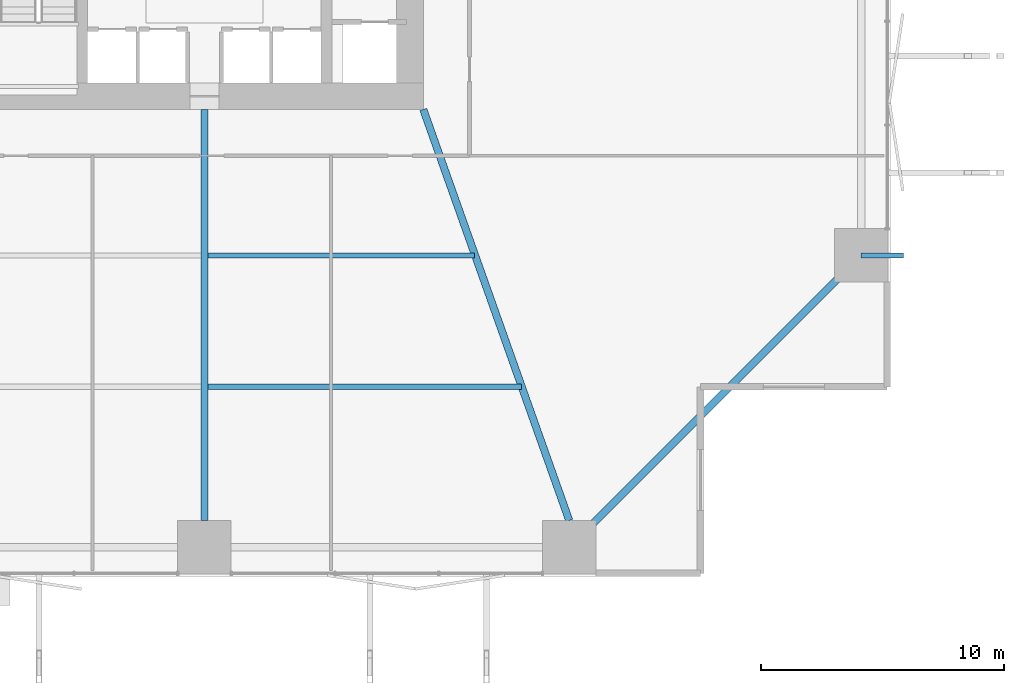
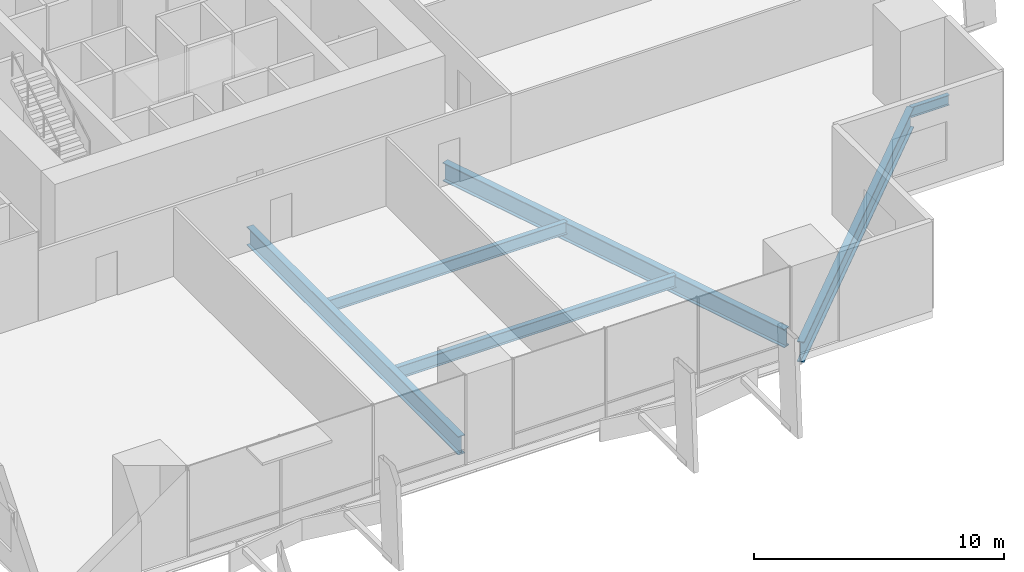
# One storey, part 7 of 24: 6 beams.
"""IFC4 building model written with IfcOpenShell, lengths in metres."""

from ifc_helpers import new_model, si_unit, direction, frame, origin, origin_2d, place, context, subcontext, project, spatial, i_section, extrude, material, material_profile, profile_set, type_object, element, save


model = new_model("IFC4")

# Units and contexts
model_context = context("Model", 3, precision=1e-05, world=origin(), true_north=direction((0.0, 1.0)))
body_context = subcontext(model_context, "Body", "Model", "MODEL_VIEW")
ifc_project = project(units=[si_unit("LENGTHUNIT", "METRE"), si_unit("AREAUNIT", "SQUARE_METRE"), si_unit("VOLUMEUNIT", "CUBIC_METRE"), si_unit("PLANEANGLEUNIT", "RADIAN"), si_unit("MASSUNIT", "GRAM", prefix="KILO")], contexts=[model_context])

# Site, building, storey
site_placement = place(None, origin())
site = spatial("IfcSite", under=ifc_project, at=site_placement, CompositionType="ELEMENT")
building_placement = place(site_placement, origin())
building = spatial("IfcBuilding", under=site, at=building_placement, Name="Belovzor Exchange Tower", CompositionType="ELEMENT")
storey_placement = place(building_placement, frame((0.0, 0.0, 19.199951171875)))
storey = spatial("IfcBuildingStorey", under=building, at=storey_placement, Name="L04", CompositionType="ELEMENT", Elevation=19.199951171875)

# Beams
ifc_material_1 = material(Name="Steel S355", Category="steel")
ifc_material_profile_1 = material_profile(ifc_material_1, i_section(OverallWidth=0.199951171875, OverallDepth=0.5, WebThickness=0.01025390625, FlangeThickness=0.01611328125, at=origin_2d()))
ifc_profile_set_1 = profile_set([ifc_material_profile_1], Name="Steel S355")
beam_type_1 = type_object("IfcBeamType", Name="Planted Balcony Cantilever Beam IPE 500", PredefinedType="BEAM", material=ifc_profile_set_1)
beam_1_placement = place(storey_placement, frame((55.800048828125, 13.800048828125, -0.599853515625), z_axis=(1.0, 0.0, 0.0), x_axis=(0.0, 1.0, 0.0)))
element("IfcBeam", 1, at=beam_1_placement, inside=storey, type_object=beam_type_1, Name="BC-500 Planted Balcony Cantilever Beam IPE 500", PredefinedType="BEAM", context=body_context, shape_type="SweptSolid", body=[
    extrude(i_section(OverallWidth=0.199951171875, OverallDepth=0.5, WebThickness=0.01025390625, FlangeThickness=0.01611328125, at=origin_2d()), origin(), (0.0, 0.0, 1.0), 1.75),
])
ifc_material_2 = material(Name="Steel S460", Category="steel")
ifc_material_profile_2 = material_profile(ifc_material_2, i_section(OverallWidth=0.300048828125, OverallDepth=1.0, WebThickness=0.02099609375, FlangeThickness=0.0400390625, at=origin_2d()))
ifc_profile_set_2 = profile_set([ifc_material_profile_2], Name="Steel S460")
beam_type_2 = type_object("IfcBeamType", Name="Podium Exchange Hall Ring Girder HEM 1000", PredefinedType="BEAM", material=ifc_profile_set_2)
beam_2_placement = place(storey_placement, frame((43.800048828125, 1.800048828125, -0.849853515625), z_axis=(0.707106781187, 0.707106781187, 0.0), x_axis=(-0.707106781187, 0.707106781187, 0.0)))
element("IfcBeam", 2, at=beam_2_placement, inside=storey, type_object=beam_type_2, Name="PG-1 Podium Exchange Hall Ring Girder HEM 1000", PredefinedType="BEAM", context=body_context, shape_type="SweptSolid", body=[
    extrude(i_section(OverallWidth=0.300048828125, OverallDepth=1.0, WebThickness=0.02099609375, FlangeThickness=0.0400390625, at=origin_2d()), origin(), (0.0, 0.0, 1.0), 16.970458984375),
])
ifc_material_3 = material(Name="Steel S460", Category="steel")
ifc_material_profile_3 = material_profile(ifc_material_3, i_section(OverallWidth=0.300048828125, OverallDepth=0.89990234375, WebThickness=0.0185546875, FlangeThickness=0.034912109375, at=origin_2d()))
ifc_profile_set_3 = profile_set([ifc_material_profile_3], Name="Steel S460")
beam_type_3 = type_object("IfcBeamType", Name="Podium Radial Clear-Span Girder HEB 900", PredefinedType="BEAM", material=ifc_profile_set_3)
beam_3_placement = place(storey_placement, frame((28.800048828125, 19.800048828125, -0.800048828125), z_axis=(0.0, -1.0, 0.0), x_axis=(1.0, 0.0, 0.0)))
element("IfcBeam", 3, at=beam_3_placement, inside=storey, type_object=beam_type_3, Name="PG-2 Podium Radial Clear-Span Girder HEB 900", PredefinedType="BEAM", context=body_context, shape_type="SweptSolid", body=[
    extrude(i_section(OverallWidth=0.300048828125, OverallDepth=0.89990234375, WebThickness=0.0185546875, FlangeThickness=0.034912109375, at=origin_2d()), origin(), (0.0, 0.0, 1.0), 16.900146484375),
])
beam_4_placement = place(storey_placement, frame((37.800048828125, 19.800048828125, -0.800048828125), z_axis=(0.334567025634, -0.94237195701, 0.0), x_axis=(0.94237195701, 0.334567025634, 0.0)))
element("IfcBeam", 4, at=beam_4_placement, inside=storey, type_object=beam_type_3, Name="PG-2 Podium Radial Clear-Span Girder HEB 900", PredefinedType="BEAM", context=body_context, shape_type="SweptSolid", body=[
    extrude(i_section(OverallWidth=0.300048828125, OverallDepth=0.89990234375, WebThickness=0.0185546875, FlangeThickness=0.034912109375, at=origin_2d()), origin(), (0.0, 0.0, 1.0), 17.93359375),
])
ifc_material_4 = material(Name="Steel S355", Category="steel")
ifc_material_profile_4 = material_profile(ifc_material_4, i_section(OverallWidth=0.219970703125, OverallDepth=0.60009765625, WebThickness=0.011962890625, FlangeThickness=0.01904296875, at=origin_2d()))
ifc_profile_set_4 = profile_set([ifc_material_profile_4], Name="Steel S355")
beam_type_4 = type_object("IfcBeamType", Name="Podium Secondary Composite Floor Beam IPE 600", PredefinedType="BEAM", material=ifc_profile_set_4)
beam_5_placement = place(storey_placement, frame((28.949951171875, 8.39990234375, -0.64990234375), z_axis=(1.0, 0.0, 0.0), x_axis=(0.0, 1.0, 0.0)))
element("IfcBeam", 5, at=beam_5_placement, inside=storey, type_object=beam_type_4, Name="FB-600 Podium Secondary Composite Floor Beam IPE 600", PredefinedType="BEAM", context=body_context, shape_type="SweptSolid", body=[
    extrude(i_section(OverallWidth=0.219970703125, OverallDepth=0.60009765625, WebThickness=0.011962890625, FlangeThickness=0.01904296875, at=origin_2d()), origin(), (0.0, 0.0, 1.0), 12.876953125),
])
beam_6_placement = place(storey_placement, frame((28.949951171875, 13.800048828125, -0.64990234375), z_axis=(1.0, 0.0, 0.0), x_axis=(0.0, 1.0, 0.0)))
element("IfcBeam", 6, at=beam_6_placement, inside=storey, type_object=beam_type_4, Name="FB-600 Podium Secondary Composite Floor Beam IPE 600", PredefinedType="BEAM", context=body_context, shape_type="SweptSolid", body=[
    extrude(i_section(OverallWidth=0.219970703125, OverallDepth=0.60009765625, WebThickness=0.011962890625, FlangeThickness=0.01904296875, at=origin_2d()), origin(), (0.0, 0.0, 1.0), 10.9599609375),
])

save(model, "model.ifc")
